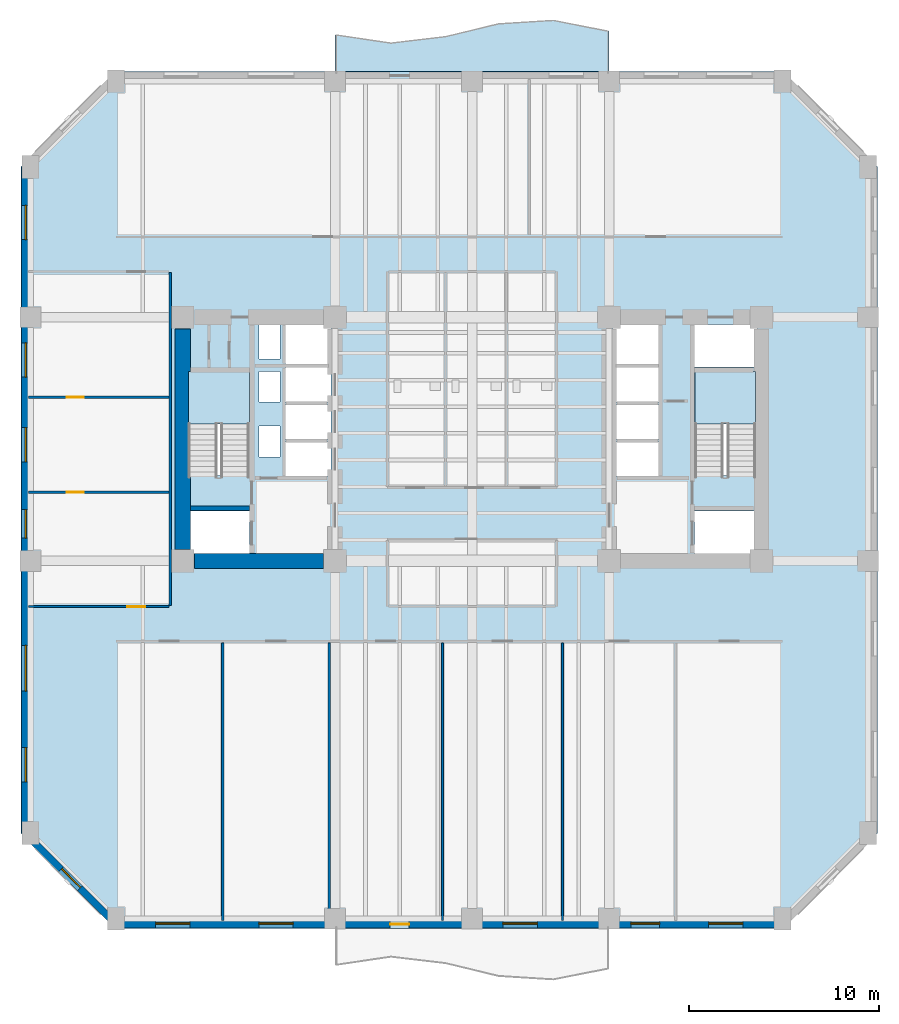
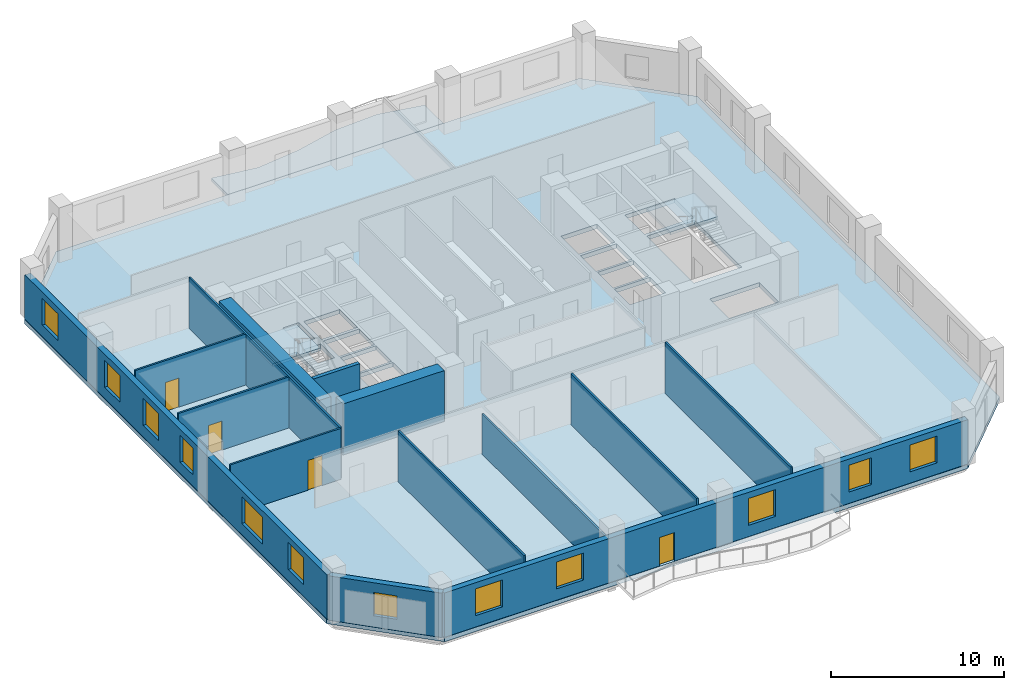
# One storey, part 2 of 10: 14 walls, 12 windows, 4 doors, 4 slabs, 16 openings, 2 elements without a shape of their own.
"""IFC4 building model written with IfcOpenShell, lengths in metres."""

from ifc_helpers import new_model, si_unit, direction, frame, frame_2d, origin, place, context, subcontext, project, spatial, polyline, rectangle, outline, extrude, material, layer, layer_set, type_object, element, fill, aggregate, save


model = new_model("IFC4")

# Units and contexts
model_context = context("Model", 3, precision=1e-05, world=origin(), true_north=direction((0.0, 1.0)))
body_context = subcontext(model_context, "Body", "Model", "MODEL_VIEW")
ifc_project = project(units=[si_unit("LENGTHUNIT", "METRE"), si_unit("AREAUNIT", "SQUARE_METRE"), si_unit("VOLUMEUNIT", "CUBIC_METRE"), si_unit("PLANEANGLEUNIT", "RADIAN"), si_unit("MASSUNIT", "GRAM", prefix="KILO")], contexts=[model_context])

# Site, building, storey
site_placement = place(None, origin())
site = spatial("IfcSite", under=ifc_project, at=site_placement, CompositionType="ELEMENT")
building_placement = place(site_placement, origin())
building = spatial("IfcBuilding", under=site, at=building_placement, Name="Kranthara Brick Stack", CompositionType="ELEMENT")
storey_placement = place(building_placement, frame((0.0, 0.0, 39.89990234375)))
storey = spatial("IfcBuildingStorey", under=building, at=storey_placement, Name="L09", CompositionType="ELEMENT", Elevation=39.89990234375)

# Slab
ifc_material_1 = material(Name="Concrete C45/55", Category="concrete")
ifc_layer_1 = layer(ifc_material_1, 0.219970703125)
ifc_layer_set_1 = layer_set([ifc_layer_1], Name="Concrete C45/55")
slab_type_1 = type_object("IfcSlabType", Name="SLB-BALC-220", PredefinedType="FLOOR", material=ifc_layer_set_1)
slab_1_placement = place(storey_placement, frame((0.0, 0.0, -0.219970703125)))
element("IfcSlab", 1, at=slab_1_placement, inside=storey, type_object=slab_type_1, Name="L09 North Rippling Balcony Slab", PredefinedType="FLOOR", context=body_context, shape_type="SweptSolid", body=[
    extrude(outline(polyline([(35.199951171875, 46.5), (20.800048828125, 46.5), (20.800048828125, 48.431884765625), (23.679931640625, 48.00146484375), (26.56005859375, 48.355224609375), (29.43994140625, 49.04833984375), (32.320068359375, 49.208984375), (35.199951171875, 48.63525390625), (35.199951171875, 46.5)])), origin(), (0.0, 0.0, 1.0), 0.219970703125),
])

# Stair, slab
ifc_material_2 = material(Name="Concrete C45/55", Category="concrete")
stair_type = type_object("IfcStairType", Name="ST-CORE-22R", PredefinedType="HALF_TURN_STAIR", material=ifc_material_2)
stair_1_placement = place(storey_placement, origin())
stair_1 = element("IfcStair", 2, at=stair_1_placement, inside=storey, type_object=stair_type, Name="L09 West Core Protected Exit Stair ST01", PredefinedType="HALF_TURN_STAIR")
ifc_material_3 = material(Name="Concrete C45/55", Category="concrete")
ifc_layer_2 = layer(ifc_material_3, 0.199951171875)
ifc_layer_set_2 = layer_set([ifc_layer_2], Name="Concrete C45/55")
slab_type_2 = type_object("IfcSlabType", Name="SLB-LANDING-200", PredefinedType="LANDING", material=ifc_layer_set_2)
slab_2_placement = place(storey_placement, frame((0.0, 0.0, 1.75)))
slab_2 = element("IfcSlab", 3, at=slab_2_placement, type_object=slab_type_2, Name="ST01 landing 1", PredefinedType="LANDING", context=body_context, shape_type="SweptSolid", body=[
    extrude(outline(polyline([(16.300048828125, 28.0), (16.300048828125, 30.75), (13.10009765625, 30.75), (13.10009765625, 28.0), (16.300048828125, 28.0)])), origin(), (0.0, 0.0, 1.0), 0.2001953125),
])
aggregate(stair_1, [slab_2])

stair_2_placement = place(storey_placement, origin())
stair_2 = element("IfcStair", 4, at=stair_2_placement, inside=storey, type_object=stair_type, Name="L09 East Core Protected Exit Stair ST02", PredefinedType="HALF_TURN_STAIR")
slab_3_placement = place(storey_placement, frame((0.0, 0.0, 1.75)))
slab_3 = element("IfcSlab", 5, at=slab_3_placement, type_object=slab_type_2, Name="ST02 landing 1", PredefinedType="LANDING", context=body_context, shape_type="SweptSolid", body=[
    extrude(outline(polyline([(42.89990234375, 28.0), (42.89990234375, 30.75), (39.699951171875, 30.75), (39.699951171875, 28.0), (42.89990234375, 28.0)])), origin(), (0.0, 0.0, 1.0), 0.2001953125),
])
aggregate(stair_2, [slab_3])

# Slab
ifc_material_4 = material(Name="Post-tensioned concrete C45/55", Category="concrete")
ifc_layer_3 = layer(ifc_material_4, 0.300048828125)
ifc_layer_set_3 = layer_set([ifc_layer_3], Name="Post-tensioned concrete C45/55")
slab_type_3 = type_object("IfcSlabType", Name="SLB-TWR-300", PredefinedType="FLOOR", material=ifc_layer_set_3)
slab_4_placement = place(storey_placement, frame((0.0, 0.0, -0.2998046875)))
element("IfcSlab", 6, at=slab_4_placement, inside=storey, type_object=slab_type_3, Name="L09 Structural Floor Plate", PredefinedType="FLOOR", context=body_context, shape_type="SweptSolid", body=[
    extrude(outline(polyline([(9.300048828125, 1.5), (44.300048828125, 1.5), (49.300048828125, 6.5), (49.300048828125, 41.5), (44.300048828125, 46.5), (9.300048828125, 46.5), (4.300048828125, 41.5), (4.300048828125, 6.5), (9.300048828125, 1.5)]), holes=[polyline([(13.10009765625, 25.280029296875), (16.300048828125, 25.280029296875), (16.300048828125, 30.75), (13.10009765625, 30.75), (13.10009765625, 25.280029296875)]), polyline([(39.699951171875, 25.280029296875), (42.89990234375, 25.280029296875), (42.89990234375, 30.75), (39.699951171875, 30.75), (39.699951171875, 25.280029296875)]), polyline([(13.0, 21.179931640625), (16.320068359375, 21.179931640625), (16.320068359375, 23.419921875), (13.0, 23.419921875), (13.0, 21.179931640625)]), polyline([(39.679931640625, 21.179931640625), (43.0, 21.179931640625), (43.0, 23.419921875), (39.679931640625, 23.419921875), (39.679931640625, 21.179931640625)]), polyline([(39.679931640625, 30.97998046875), (43.0, 30.97998046875), (43.0, 33.219970703125), (39.679931640625, 33.219970703125), (39.679931640625, 30.97998046875)]), polyline([(18.199951171875, 25.25), (20.60009765625, 25.25), (20.60009765625, 27.050048828125), (18.199951171875, 27.050048828125), (18.199951171875, 25.25)]), polyline([(18.199951171875, 27.199951171875), (20.60009765625, 27.199951171875), (20.60009765625, 29.0), (18.199951171875, 29.0), (18.199951171875, 27.199951171875)]), polyline([(18.199951171875, 29.14990234375), (20.60009765625, 29.14990234375), (20.60009765625, 30.949951171875), (18.199951171875, 30.949951171875), (18.199951171875, 29.14990234375)]), polyline([(35.39990234375, 25.25), (37.800048828125, 25.25), (37.800048828125, 27.050048828125), (35.39990234375, 27.050048828125), (35.39990234375, 25.25)]), polyline([(35.39990234375, 27.199951171875), (37.800048828125, 27.199951171875), (37.800048828125, 29.0), (35.39990234375, 29.0), (35.39990234375, 27.199951171875)]), polyline([(35.39990234375, 29.14990234375), (37.800048828125, 29.14990234375), (37.800048828125, 30.949951171875), (35.39990234375, 30.949951171875), (35.39990234375, 29.14990234375)]), polyline([(18.199951171875, 31.14990234375), (20.60009765625, 31.14990234375), (20.60009765625, 33.219970703125), (18.199951171875, 33.219970703125), (18.199951171875, 31.14990234375)]), polyline([(35.39990234375, 31.14990234375), (37.800048828125, 31.14990234375), (37.800048828125, 33.219970703125), (35.39990234375, 33.219970703125), (35.39990234375, 31.14990234375)]), polyline([(16.800048828125, 26.25), (17.89990234375, 26.25), (17.89990234375, 27.89990234375), (16.800048828125, 27.89990234375), (16.800048828125, 26.25)]), polyline([(16.800048828125, 29.14990234375), (17.89990234375, 29.14990234375), (17.89990234375, 30.75), (16.800048828125, 30.75), (16.800048828125, 29.14990234375)]), polyline([(16.800048828125, 31.39990234375), (17.89990234375, 31.39990234375), (17.89990234375, 33.25), (16.800048828125, 33.25), (16.800048828125, 31.39990234375)])]), origin(), (0.0, 0.0, 1.0), 0.2998046875),
])

# Wall, openings, door, windows
ifc_material_5 = material(Name="Kiln-fired clay brick masonry M15", Category="masonry")
ifc_layer_4 = layer(ifc_material_5, 0.3798828125)
ifc_layer_set_4 = layer_set([ifc_layer_4], Name="Kiln-fired clay brick masonry M15")
wall_type_1 = type_object("IfcWallType", Name="WL-BRK-PIER-380", PredefinedType="STANDARD", material=ifc_layer_set_4)
wall_1_placement = place(storey_placement, frame((44.300048828125, 1.7099609375, 0.0), z_axis=(0.0, 0.0, 1.0), x_axis=(-1.0, 0.0, 0.0)))
wall_1 = element("IfcWall", 7, at=wall_1_placement, inside=storey, type_object=wall_type_1, Name="L09 Exterior Brick Facade Wall SOUTH 1", PredefinedType="STANDARD", context=body_context, shape_type="SweptSolid", body=[
    extrude(rectangle(XDim=35.0, YDim=0.3798828125, at=frame_2d((17.5, 0.0))), origin(), (0.0, 0.0, 1.0), 3.135009765625),
])
opening_1_placement = place(wall_1_placement, frame((19.60009765625, 0.0, 0.0)))
opening_1 = element("IfcOpeningElement", 8, at=opening_1_placement, cuts=wall_1, Name="Opening D03", PredefinedType="OPENING", context=body_context, shape_type="SweptSolid", body=[
    extrude(rectangle(XDim=1.0, YDim=2.02001953125, at=frame_2d((0.5, 1.010009765625))), frame((0.0, 0.199951171875, 0.0), z_axis=(0.0, -1.0, 0.0), x_axis=(1.0, 0.0, 0.0)), (0.0, 0.0, 1.0), 0.39990234375),
])
opening_2_placement = place(wall_1_placement, frame((2.074951171875, 0.0, 0.800048828125)))
opening_2 = element("IfcOpeningElement", 9, at=opening_2_placement, cuts=wall_1, Name="Opening WN01", PredefinedType="OPENING", context=body_context, shape_type="SweptSolid", body=[
    extrude(rectangle(XDim=1.800048828125, YDim=1.89990234375, at=frame_2d((0.89990234375, 0.949951171875))), frame((0.0, 0.199951171875, 0.0), z_axis=(0.0, -1.0, 0.0), x_axis=(1.0, 0.0, 0.0)), (0.0, 0.0, 1.0), 0.39990234375),
])
opening_3_placement = place(wall_1_placement, frame((6.449951171875, 0.0, 0.800048828125)))
opening_3 = element("IfcOpeningElement", 10, at=opening_3_placement, cuts=wall_1, Name="Opening WN03", PredefinedType="OPENING", context=body_context, shape_type="SweptSolid", body=[
    extrude(rectangle(XDim=1.5, YDim=1.89990234375, at=frame_2d((0.75, 0.949951171875))), frame((0.0, 0.199951171875, 0.0), z_axis=(0.0, -1.0, 0.0), x_axis=(1.0, 0.0, 0.0)), (0.0, 0.0, 1.0), 0.39990234375),
])
opening_4_placement = place(wall_1_placement, frame((12.875, 0.0, 0.800048828125)))
opening_4 = element("IfcOpeningElement", 11, at=opening_4_placement, cuts=wall_1, Name="Opening WN01", PredefinedType="OPENING", context=body_context, shape_type="SweptSolid", body=[
    extrude(rectangle(XDim=1.800048828125, YDim=1.89990234375, at=frame_2d((0.89990234375, 0.949951171875))), frame((0.0, 0.199951171875, 0.0), z_axis=(0.0, -1.0, 0.0), x_axis=(1.0, 0.0, 0.0)), (0.0, 0.0, 1.0), 0.39990234375),
])
opening_5_placement = place(wall_1_placement, frame((25.699951171875, 0.0, 0.800048828125)))
opening_5 = element("IfcOpeningElement", 12, at=opening_5_placement, cuts=wall_1, Name="Opening WN01", PredefinedType="OPENING", context=body_context, shape_type="SweptSolid", body=[
    extrude(rectangle(XDim=1.800048828125, YDim=1.89990234375, at=frame_2d((0.89990234375, 0.949951171875))), frame((0.0, 0.199951171875, 0.0), z_axis=(0.0, -1.0, 0.0), x_axis=(1.0, 0.0, 0.0)), (0.0, 0.0, 1.0), 0.39990234375),
])
opening_6_placement = place(wall_1_placement, frame((31.125, 0.0, 0.800048828125)))
opening_6 = element("IfcOpeningElement", 13, at=opening_6_placement, cuts=wall_1, Name="Opening WN01", PredefinedType="OPENING", context=body_context, shape_type="SweptSolid", body=[
    extrude(rectangle(XDim=1.800048828125, YDim=1.89990234375, at=frame_2d((0.89990234375, 0.949951171875))), frame((0.0, 0.199951171875, 0.0), z_axis=(0.0, -1.0, 0.0), x_axis=(1.0, 0.0, 0.0)), (0.0, 0.0, 1.0), 0.39990234375),
])
ifc_material_6 = material(Name="Bronze anodised aluminium and laminated glass", Category="aluminium")
door_type_1 = type_object("IfcDoorType", Name="DR-BALC-1000", OperationType="NOTDEFINED", PredefinedType="DOOR", material=ifc_material_6)
door_1_placement = place(opening_1_placement, origin())
door_1 = element("IfcDoor", 14, at=door_1_placement, inside=storey, type_object=door_type_1, Name="L09 South Balcony Terrace Door", OperationType="SINGLE_SWING_LEFT", OverallHeight=2.02001953125, OverallWidth=1.0, PredefinedType="DOOR", context=body_context, shape_type="SweptSolid", body=[
    extrude(rectangle(XDim=1.0, YDim=2.02001953125, at=frame_2d((0.5, 1.010009765625))), frame((0.0, 0.02490234375, 0.0), z_axis=(0.0, -1.0, 0.0), x_axis=(1.0, 0.0, 0.0)), (0.0, 0.0, 1.0), 0.050048828125),
])
fill(opening_1, door_1)
ifc_material_7 = material(Name="Double-glazed low-E solar control glass", Category="glass")
window_type_1 = type_object("IfcWindowType", Name="WN-OFF-1500x2000", PartitioningType="SINGLE_PANEL", PredefinedType="WINDOW", material=ifc_material_7)
window_1_placement = place(opening_3_placement, origin())
window_1 = element("IfcWindow", 15, at=window_1_placement, inside=storey, type_object=window_type_1, Name="L09 South Deep-Set Brick Window 02", OverallHeight=1.89990234375, OverallWidth=1.5, PartitioningType="SINGLE_PANEL", PredefinedType="WINDOW", context=body_context, shape_type="SweptSolid", body=[
    extrude(rectangle(XDim=1.5, YDim=1.89990234375, at=frame_2d((0.75, 0.949951171875))), frame((0.0, -0.010009765625, 0.0), z_axis=(0.0, -1.0, 0.0), x_axis=(1.0, 0.0, 0.0)), (0.0, 0.0, 1.0), 0.06005859375),
])
fill(opening_3, window_1)
ifc_material_8 = material(Name="Double-glazed low-E solar control glass", Category="glass")
window_type_2 = type_object("IfcWindowType", Name="WN-OFF-1800x2000", PartitioningType="SINGLE_PANEL", PredefinedType="WINDOW", material=ifc_material_8)
window_2_placement = place(opening_2_placement, origin())
window_2 = element("IfcWindow", 16, at=window_2_placement, inside=storey, type_object=window_type_2, Name="L09 South Deep-Set Brick Window 01", OverallHeight=1.89990234375, OverallWidth=1.800048828125, PartitioningType="SINGLE_PANEL", PredefinedType="WINDOW", context=body_context, shape_type="SweptSolid", body=[
    extrude(rectangle(XDim=1.800048828125, YDim=1.89990234375, at=frame_2d((0.89990234375, 0.949951171875))), frame((0.0, -0.010009765625, 0.0), z_axis=(0.0, -1.0, 0.0), x_axis=(1.0, 0.0, 0.0)), (0.0, 0.0, 1.0), 0.06005859375),
])
fill(opening_2, window_2)
window_3_placement = place(opening_4_placement, origin())
window_3 = element("IfcWindow", 17, at=window_3_placement, inside=storey, type_object=window_type_2, Name="L09 South Deep-Set Brick Window 03", OverallHeight=1.89990234375, OverallWidth=1.800048828125, PartitioningType="SINGLE_PANEL", PredefinedType="WINDOW", context=body_context, shape_type="SweptSolid", body=[
    extrude(rectangle(XDim=1.800048828125, YDim=1.89990234375, at=frame_2d((0.89990234375, 0.949951171875))), frame((0.0, -0.010009765625, 0.0), z_axis=(0.0, -1.0, 0.0), x_axis=(1.0, 0.0, 0.0)), (0.0, 0.0, 1.0), 0.06005859375),
])
fill(opening_4, window_3)
window_4_placement = place(opening_5_placement, origin())
window_4 = element("IfcWindow", 18, at=window_4_placement, inside=storey, type_object=window_type_2, Name="L09 South Deep-Set Brick Window 04", OverallHeight=1.89990234375, OverallWidth=1.800048828125, PartitioningType="SINGLE_PANEL", PredefinedType="WINDOW", context=body_context, shape_type="SweptSolid", body=[
    extrude(rectangle(XDim=1.800048828125, YDim=1.89990234375, at=frame_2d((0.89990234375, 0.949951171875))), frame((0.0, -0.010009765625, 0.0), z_axis=(0.0, -1.0, 0.0), x_axis=(1.0, 0.0, 0.0)), (0.0, 0.0, 1.0), 0.06005859375),
])
fill(opening_5, window_4)
window_5_placement = place(opening_6_placement, origin())
window_5 = element("IfcWindow", 19, at=window_5_placement, inside=storey, type_object=window_type_2, Name="L09 South Deep-Set Brick Window 05", OverallHeight=1.89990234375, OverallWidth=1.800048828125, PartitioningType="SINGLE_PANEL", PredefinedType="WINDOW", context=body_context, shape_type="SweptSolid", body=[
    extrude(rectangle(XDim=1.800048828125, YDim=1.89990234375, at=frame_2d((0.89990234375, 0.949951171875))), frame((0.0, -0.010009765625, 0.0), z_axis=(0.0, -1.0, 0.0), x_axis=(1.0, 0.0, 0.0)), (0.0, 0.0, 1.0), 0.06005859375),
])
fill(opening_6, window_5)

# Wall, opening, window
wall_2_placement = place(storey_placement, frame((9.300048828125, 1.7099609375, 0.0), z_axis=(0.0, 0.0, 1.0), x_axis=(-0.707106781187, 0.707106781187, 0.0)))
wall_2 = element("IfcWall", 20, at=wall_2_placement, inside=storey, type_object=wall_type_1, Name="L09 Exterior Brick Facade Wall SW 1", PredefinedType="STANDARD", context=body_context, shape_type="SweptSolid", body=[
    extrude(rectangle(XDim=6.774169921875, YDim=0.3798828125, at=frame_2d((3.38720703125, 0.0))), origin(), (0.0, 0.0, 1.0), 3.135009765625),
])
opening_7_placement = place(wall_2_placement, frame((2.68701171875, 0.0, 0.800048828125)))
opening_7 = element("IfcOpeningElement", 21, at=opening_7_placement, cuts=wall_2, Name="Opening WN10", PredefinedType="OPENING", context=body_context, shape_type="SweptSolid", body=[
    extrude(rectangle(XDim=1.39990234375, YDim=1.64990234375, at=frame_2d((0.699951171875, 0.824951171875))), frame((0.0, 0.199951171875, 0.0), z_axis=(0.0, -1.0, 0.0), x_axis=(1.0, 0.0, 0.0)), (0.0, 0.0, 1.0), 0.39990234375),
])
ifc_material_9 = material(Name="Double-glazed low-E solar control glass", Category="glass")
window_type_3 = type_object("IfcWindowType", Name="WN-CHM-1400x1750", PartitioningType="SINGLE_PANEL", PredefinedType="WINDOW", material=ifc_material_9)
window_6_placement = place(opening_7_placement, origin())
window_6 = element("IfcWindow", 22, at=window_6_placement, inside=storey, type_object=window_type_3, Name="L09 SW Chamfer Corner Window", OverallHeight=1.64990234375, OverallWidth=1.39990234375, PartitioningType="SINGLE_PANEL", PredefinedType="WINDOW", context=body_context, shape_type="SweptSolid", body=[
    extrude(rectangle(XDim=1.39990234375, YDim=1.64990234375, at=frame_2d((0.699951171875, 0.824951171875))), frame((0.0, -0.010009765625, 0.0), z_axis=(0.0, -1.0, 0.0), x_axis=(1.0, 0.0, 0.0)), (0.0, 0.0, 1.0), 0.06005859375),
])
fill(opening_7, window_6)

# Wall, openings, windows
wall_3_placement = place(storey_placement, frame((4.510009765625, 6.5, 0.0), z_axis=(0.0, 0.0, 1.0), x_axis=(0.0, 1.0, 0.0)))
wall_3 = element("IfcWall", 23, at=wall_3_placement, inside=storey, type_object=wall_type_1, Name="L09 Exterior Brick Facade Wall WEST 1", PredefinedType="STANDARD", context=body_context, shape_type="SweptSolid", body=[
    extrude(rectangle(XDim=35.0, YDim=0.3798828125, at=frame_2d((17.5, 0.0))), origin(), (0.0, 0.0, 1.0), 3.135009765625),
])
opening_8_placement = place(wall_3_placement, frame((2.693115234375, 0.0, 0.800048828125)))
opening_8 = element("IfcOpeningElement", 24, at=opening_8_placement, cuts=wall_3, Name="Opening WN01", PredefinedType="OPENING", context=body_context, shape_type="SweptSolid", body=[
    extrude(rectangle(XDim=1.800048828125, YDim=1.89990234375, at=frame_2d((0.89990234375, 0.949951171875))), frame((0.0, 0.199951171875, 0.0), z_axis=(0.0, -1.0, 0.0), x_axis=(1.0, 0.0, 0.0)), (0.0, 0.0, 1.0), 0.39990234375),
])
opening_9_placement = place(wall_3_placement, frame((7.45703125, 0.0, 0.800048828125)))
opening_9 = element("IfcOpeningElement", 25, at=opening_9_placement, cuts=wall_3, Name="Opening WN02", PredefinedType="OPENING", context=body_context, shape_type="SweptSolid", body=[
    extrude(rectangle(XDim=2.39990234375, YDim=1.89990234375, at=frame_2d((1.199951171875, 0.949951171875))), frame((0.0, 0.199951171875, 0.0), z_axis=(0.0, -1.0, 0.0), x_axis=(1.0, 0.0, 0.0)), (0.0, 0.0, 1.0), 0.39990234375),
])
opening_10_placement = place(wall_3_placement, frame((15.5, 0.0, 0.800048828125)))
opening_10 = element("IfcOpeningElement", 26, at=opening_10_placement, cuts=wall_3, Name="Opening WN03", PredefinedType="OPENING", context=body_context, shape_type="SweptSolid", body=[
    extrude(rectangle(XDim=1.5, YDim=1.89990234375, at=frame_2d((0.75, 0.949951171875))), frame((0.0, 0.199951171875, 0.0), z_axis=(0.0, -1.0, 0.0), x_axis=(1.0, 0.0, 0.0)), (0.0, 0.0, 1.0), 0.39990234375),
])
opening_11_placement = place(wall_3_placement, frame((19.5, 0.0, 0.800048828125)))
opening_11 = element("IfcOpeningElement", 27, at=opening_11_placement, cuts=wall_3, Name="Opening WN01", PredefinedType="OPENING", context=body_context, shape_type="SweptSolid", body=[
    extrude(rectangle(XDim=1.800048828125, YDim=1.89990234375, at=frame_2d((0.89990234375, 0.949951171875))), frame((0.0, 0.199951171875, 0.0), z_axis=(0.0, -1.0, 0.0), x_axis=(1.0, 0.0, 0.0)), (0.0, 0.0, 1.0), 0.39990234375),
])
opening_12_placement = place(wall_3_placement, frame((23.949951171875, 0.0, 0.800048828125)))
opening_12 = element("IfcOpeningElement", 28, at=opening_12_placement, cuts=wall_3, Name="Opening WN01", PredefinedType="OPENING", context=body_context, shape_type="SweptSolid", body=[
    extrude(rectangle(XDim=1.800048828125, YDim=1.89990234375, at=frame_2d((0.89990234375, 0.949951171875))), frame((0.0, 0.199951171875, 0.0), z_axis=(0.0, -1.0, 0.0), x_axis=(1.0, 0.0, 0.0)), (0.0, 0.0, 1.0), 0.39990234375),
])
opening_13_placement = place(wall_3_placement, frame((31.175048828125, 0.0, 0.800048828125)))
opening_13 = element("IfcOpeningElement", 29, at=opening_13_placement, cuts=wall_3, Name="Opening WN01", PredefinedType="OPENING", context=body_context, shape_type="SweptSolid", body=[
    extrude(rectangle(XDim=1.800048828125, YDim=1.89990234375, at=frame_2d((0.89990234375, 0.949951171875))), frame((0.0, 0.199951171875, 0.0), z_axis=(0.0, -1.0, 0.0), x_axis=(1.0, 0.0, 0.0)), (0.0, 0.0, 1.0), 0.39990234375),
])
window_7_placement = place(opening_10_placement, origin())
window_7 = element("IfcWindow", 30, at=window_7_placement, inside=storey, type_object=window_type_1, Name="L09 West Deep-Set Brick Window 03", OverallHeight=1.89990234375, OverallWidth=1.5, PartitioningType="SINGLE_PANEL", PredefinedType="WINDOW", context=body_context, shape_type="SweptSolid", body=[
    extrude(rectangle(XDim=1.5, YDim=1.89990234375, at=frame_2d((0.75, 0.949951171875))), frame((0.0, -0.010009765625, 0.0), z_axis=(0.0, -1.0, 0.0), x_axis=(1.0, 0.0, 0.0)), (0.0, 0.0, 1.0), 0.06005859375),
])
fill(opening_10, window_7)
window_8_placement = place(opening_8_placement, origin())
window_8 = element("IfcWindow", 31, at=window_8_placement, inside=storey, type_object=window_type_2, Name="L09 West Deep-Set Brick Window 01", OverallHeight=1.89990234375, OverallWidth=1.800048828125, PartitioningType="SINGLE_PANEL", PredefinedType="WINDOW", context=body_context, shape_type="SweptSolid", body=[
    extrude(rectangle(XDim=1.800048828125, YDim=1.89990234375, at=frame_2d((0.89990234375, 0.949951171875))), frame((0.0, -0.010009765625, 0.0), z_axis=(0.0, -1.0, 0.0), x_axis=(1.0, 0.0, 0.0)), (0.0, 0.0, 1.0), 0.06005859375),
])
fill(opening_8, window_8)
window_9_placement = place(opening_11_placement, origin())
window_9 = element("IfcWindow", 32, at=window_9_placement, inside=storey, type_object=window_type_2, Name="L09 West Deep-Set Brick Window 04", OverallHeight=1.89990234375, OverallWidth=1.800048828125, PartitioningType="SINGLE_PANEL", PredefinedType="WINDOW", context=body_context, shape_type="SweptSolid", body=[
    extrude(rectangle(XDim=1.800048828125, YDim=1.89990234375, at=frame_2d((0.89990234375, 0.949951171875))), frame((0.0, -0.010009765625, 0.0), z_axis=(0.0, -1.0, 0.0), x_axis=(1.0, 0.0, 0.0)), (0.0, 0.0, 1.0), 0.06005859375),
])
fill(opening_11, window_9)
window_10_placement = place(opening_12_placement, origin())
window_10 = element("IfcWindow", 33, at=window_10_placement, inside=storey, type_object=window_type_2, Name="L09 West Deep-Set Brick Window 05", OverallHeight=1.89990234375, OverallWidth=1.800048828125, PartitioningType="SINGLE_PANEL", PredefinedType="WINDOW", context=body_context, shape_type="SweptSolid", body=[
    extrude(rectangle(XDim=1.800048828125, YDim=1.89990234375, at=frame_2d((0.89990234375, 0.949951171875))), frame((0.0, -0.010009765625, 0.0), z_axis=(0.0, -1.0, 0.0), x_axis=(1.0, 0.0, 0.0)), (0.0, 0.0, 1.0), 0.06005859375),
])
fill(opening_12, window_10)
window_11_placement = place(opening_13_placement, origin())
window_11 = element("IfcWindow", 34, at=window_11_placement, inside=storey, type_object=window_type_2, Name="L09 West Deep-Set Brick Window 06", OverallHeight=1.89990234375, OverallWidth=1.800048828125, PartitioningType="SINGLE_PANEL", PredefinedType="WINDOW", context=body_context, shape_type="SweptSolid", body=[
    extrude(rectangle(XDim=1.800048828125, YDim=1.89990234375, at=frame_2d((0.89990234375, 0.949951171875))), frame((0.0, -0.010009765625, 0.0), z_axis=(0.0, -1.0, 0.0), x_axis=(1.0, 0.0, 0.0)), (0.0, 0.0, 1.0), 0.06005859375),
])
fill(opening_13, window_11)
ifc_material_10 = material(Name="Double-glazed low-E solar control glass", Category="glass")
window_type_4 = type_object("IfcWindowType", Name="WN-OFF-2400x2000", PartitioningType="DOUBLE_PANEL_VERTICAL", PredefinedType="WINDOW", material=ifc_material_10)
window_12_placement = place(opening_9_placement, origin())
window_12 = element("IfcWindow", 35, at=window_12_placement, inside=storey, type_object=window_type_4, Name="L09 West Deep-Set Brick Window 02", OverallHeight=1.89990234375, OverallWidth=2.39990234375, PartitioningType="SINGLE_PANEL", PredefinedType="WINDOW", context=body_context, shape_type="SweptSolid", body=[
    extrude(rectangle(XDim=2.39990234375, YDim=1.89990234375, at=frame_2d((1.199951171875, 0.949951171875))), frame((0.0, -0.010009765625, 0.0), z_axis=(0.0, -1.0, 0.0), x_axis=(1.0, 0.0, 0.0)), (0.0, 0.0, 1.0), 0.06005859375),
])
fill(opening_9, window_12)

# Walls
ifc_material_11 = material(Name="Concrete C50/60", Category="concrete")
ifc_layer_5 = layer(ifc_material_11, 0.25)
ifc_layer_set_5 = layer_set([ifc_layer_5], Name="Concrete C50/60")
wall_type_2 = type_object("IfcWallType", Name="WL-CORE-250", PredefinedType="SHEAR", material=ifc_layer_set_5)
wall_4_placement = place(storey_placement, frame((13.2099609375, 23.570068359375, 0.0), z_axis=(0.0, 0.0, 1.0), x_axis=(1.0, 0.0, 0.0)))
element("IfcWall", 36, at=wall_4_placement, inside=storey, type_object=wall_type_2, Name="L09 West Stairwell Bearing Wall WFF", PredefinedType="SHEAR", context=body_context, shape_type="SweptSolid", body=[
    extrude(rectangle(XDim=3.10009765625, YDim=0.25, at=frame_2d((1.550048828125, 0.0))), origin(), (0.0, 0.0, 1.0), 3.60009765625),
])
ifc_material_12 = material(Name="Concrete C70/85", Category="concrete")
ifc_layer_6 = layer(ifc_material_12, 0.800048828125)
ifc_layer_set_6 = layer_set([ifc_layer_6], Name="Concrete C70/85")
wall_type_3 = type_object("IfcWallType", Name="WL-CORE-800", PredefinedType="SHEAR", material=ifc_layer_set_6)
wall_5_placement = place(storey_placement, frame((12.800048828125, 21.405029296875, 0.0), z_axis=(0.0, 0.0, 1.0), x_axis=(0.0, 1.0, 0.0)))
element("IfcWall", 37, at=wall_5_placement, inside=storey, type_object=wall_type_3, Name="L09 West Core Shear Wall West", PredefinedType="SHEAR", context=body_context, shape_type="SweptSolid", body=[
    extrude(rectangle(XDim=11.590087890625, YDim=0.800048828125, at=frame_2d((5.794921875, 0.0))), origin(), (0.0, 0.0, 1.0), 3.60009765625),
])
wall_6_placement = place(storey_placement, frame((13.405029296875, 20.800048828125, 0.0), z_axis=(0.0, 0.0, 1.0), x_axis=(1.0, 0.0, 0.0)))
element("IfcWall", 38, at=wall_6_placement, inside=storey, type_object=wall_type_3, Name="L09 West Core Shear Wall South", PredefinedType="SHEAR", context=body_context, shape_type="SweptSolid", body=[
    extrude(rectangle(XDim=6.7900390625, YDim=0.800048828125, at=frame_2d((3.39501953125, 0.0))), origin(), (0.0, 0.0, 1.0), 3.60009765625),
])
ifc_material_13 = material(Name="Acoustic gypsum plasterboard partition", Category="other")
ifc_layer_7 = layer(ifc_material_13, 0.1201171875)
ifc_layer_set_7 = layer_set([ifc_layer_7], Name="Acoustic gypsum plasterboard partition")
wall_type_4 = type_object("IfcWallType", Name="WL-PART-120", PredefinedType="PARTITIONING", material=ifc_layer_set_7)
wall_7_placement = place(storey_placement, frame((14.89990234375, 1.905029296875, 0.0), z_axis=(0.0, 0.0, 1.0), x_axis=(0.0, 1.0, 0.0)))
element("IfcWall", 39, at=wall_7_placement, inside=storey, type_object=wall_type_4, Name="L09 Interior Partition 015", PredefinedType="PARTITIONING", context=body_context, shape_type="SweptSolid", body=[
    extrude(rectangle(XDim=14.574951171875, YDim=0.1201171875, at=frame_2d((7.28759765625, 0.0))), origin(), (0.0, 0.0, 1.0), 3.60009765625),
])
wall_8_placement = place(storey_placement, frame((20.5, 1.905029296875, 0.0), z_axis=(0.0, 0.0, 1.0), x_axis=(0.0, 1.0, 0.0)))
element("IfcWall", 40, at=wall_8_placement, inside=storey, type_object=wall_type_4, Name="L09 Interior Partition 016", PredefinedType="PARTITIONING", context=body_context, shape_type="SweptSolid", body=[
    extrude(rectangle(XDim=14.574951171875, YDim=0.1201171875, at=frame_2d((7.28759765625, 0.0))), origin(), (0.0, 0.0, 1.0), 2.835205078125),
])
for number, where, z_axis, x_axis, name in (
    (41, (26.449951171875, 1.905029296875, 0.0), (0.0, 0.0, 1.0), (0.0, 1.0, 0.0), "L09 Interior Partition 017"),
    (42, (32.75, 1.905029296875, 0.0), (0.0, 0.0, 1.0), (0.0, 1.0, 0.0), "L09 Interior Partition 018"),
):
    element("IfcWall", number, at=place(storey_placement, frame(where, z_axis=z_axis, x_axis=x_axis)), inside=storey, type_object=wall_type_4, Name=name, PredefinedType="PARTITIONING", context=body_context, shape_type="SweptSolid", body=[
        extrude(rectangle(XDim=14.574951171875, YDim=0.1201171875, at=frame_2d((7.28759765625, 0.0))), origin(), (0.0, 0.0, 1.0), 3.60009765625),
    ])
wall_9_placement = place(storey_placement, frame((12.14990234375, 18.449951171875, 0.0), z_axis=(0.0, 0.0, 1.0), x_axis=(0.0, 1.0, 0.0)))
element("IfcWall", 43, at=wall_9_placement, inside=storey, type_object=wall_type_4, Name="L09 Interior Partition 022", PredefinedType="PARTITIONING", context=body_context, shape_type="SweptSolid", body=[
    extrude(rectangle(XDim=17.5, YDim=0.1201171875, at=frame_2d((8.75, 0.0))), origin(), (0.0, 0.0, 1.0), 3.60009765625),
])

# Wall, opening, door
wall_10_placement = place(storey_placement, frame((4.705078125, 18.39990234375, 0.0), z_axis=(0.0, 0.0, 1.0), x_axis=(1.0, 0.0, 0.0)))
wall_10 = element("IfcWall", 44, at=wall_10_placement, inside=storey, type_object=wall_type_4, Name="L09 Interior Partition 023", PredefinedType="PARTITIONING", context=body_context, shape_type="SweptSolid", body=[
    extrude(rectangle(XDim=7.3798828125, YDim=0.1201171875, at=frame_2d((3.68994140625, 0.0))), origin(), (0.0, 0.0, 1.0), 3.60009765625),
])
opening_14_placement = place(wall_10_placement, frame((5.179931640625, 0.0, 0.0)))
opening_14 = element("IfcOpeningElement", 45, at=opening_14_placement, cuts=wall_10, Name="Opening D14", PredefinedType="OPENING", context=body_context, shape_type="SweptSolid", body=[
    extrude(rectangle(XDim=0.949951171875, YDim=2.10009765625, at=frame_2d((0.47509765625, 1.050048828125))), frame((0.0, 0.070068359375, 0.0), z_axis=(0.0, -1.0, 0.0), x_axis=(1.0, 0.0, 0.0)), (0.0, 0.0, 1.0), 0.14013671875),
])
ifc_material_14 = material(Name="Solid-core hardwood timber leaf in steel frame", Category="steel")
door_type_2 = type_object("IfcDoorType", Name="DR-INT-950", OperationType="NOTDEFINED", PredefinedType="DOOR", material=ifc_material_14)
door_2_placement = place(opening_14_placement, origin())
door_2 = element("IfcDoor", 46, at=door_2_placement, inside=storey, type_object=door_type_2, Name="L09 West South Office 18", OperationType="SINGLE_SWING_RIGHT", OverallHeight=2.10009765625, OverallWidth=0.949951171875, PredefinedType="DOOR", context=body_context, shape_type="SweptSolid", body=[
    extrude(rectangle(XDim=0.949951171875, YDim=2.10009765625, at=frame_2d((0.47509765625, 1.050048828125))), frame((0.0, 0.02490234375, 0.0), z_axis=(0.0, -1.0, 0.0), x_axis=(1.0, 0.0, 0.0)), (0.0, 0.0, 1.0), 0.050048828125),
])
fill(opening_14, door_2)

wall_11_placement = place(storey_placement, frame((4.705078125, 24.39990234375, 0.0), z_axis=(0.0, 0.0, 1.0), x_axis=(1.0, 0.0, 0.0)))
wall_11 = element("IfcWall", 47, at=wall_11_placement, inside=storey, type_object=wall_type_4, Name="L09 Interior Partition 025", PredefinedType="PARTITIONING", context=body_context, shape_type="SweptSolid", body=[
    extrude(rectangle(XDim=7.3798828125, YDim=0.1201171875, at=frame_2d((3.68994140625, 0.0))), origin(), (0.0, 0.0, 1.0), 3.60009765625),
])
opening_15_placement = place(wall_11_placement, frame((2.0, 0.0, 0.0)))
opening_15 = element("IfcOpeningElement", 48, at=opening_15_placement, cuts=wall_11, Name="Opening D15", PredefinedType="OPENING", context=body_context, shape_type="SweptSolid", body=[
    extrude(rectangle(XDim=0.89990234375, YDim=2.050048828125, at=frame_2d((0.449951171875, 1.02490234375))), frame((0.0, 0.070068359375, 0.0), z_axis=(0.0, -1.0, 0.0), x_axis=(1.0, 0.0, 0.0)), (0.0, 0.0, 1.0), 0.14013671875),
])
ifc_material_15 = material(Name="Solid-core hardwood timber leaf in steel frame", Category="steel")
door_type_3 = type_object("IfcDoorType", Name="DR-INT-900", OperationType="NOTDEFINED", PredefinedType="DOOR", material=ifc_material_15)
door_3_placement = place(opening_15_placement, origin())
door_3 = element("IfcDoor", 49, at=door_3_placement, inside=storey, type_object=door_type_3, Name="L09 West Inner Suite Door 16", OperationType="SINGLE_SWING_RIGHT", OverallHeight=2.050048828125, OverallWidth=0.89990234375, PredefinedType="DOOR", context=body_context, shape_type="SweptSolid", body=[
    extrude(rectangle(XDim=0.89990234375, YDim=2.050048828125, at=frame_2d((0.449951171875, 1.02490234375))), frame((0.0, 0.02490234375, 0.0), z_axis=(0.0, -1.0, 0.0), x_axis=(1.0, 0.0, 0.0)), (0.0, 0.0, 1.0), 0.050048828125),
])
fill(opening_15, door_3)

wall_12_placement = place(storey_placement, frame((4.705078125, 29.39990234375, 0.0), z_axis=(0.0, 0.0, 1.0), x_axis=(1.0, 0.0, 0.0)))
wall_12 = element("IfcWall", 50, at=wall_12_placement, inside=storey, type_object=wall_type_4, Name="L09 Interior Partition 026", PredefinedType="PARTITIONING", context=body_context, shape_type="SweptSolid", body=[
    extrude(rectangle(XDim=7.3798828125, YDim=0.1201171875, at=frame_2d((3.68994140625, 0.0))), origin(), (0.0, 0.0, 1.0), 3.60009765625),
])
opening_16_placement = place(wall_12_placement, frame((2.0, 0.0, 0.0)))
opening_16 = element("IfcOpeningElement", 51, at=opening_16_placement, cuts=wall_12, Name="Opening D15", PredefinedType="OPENING", context=body_context, shape_type="SweptSolid", body=[
    extrude(rectangle(XDim=0.89990234375, YDim=2.050048828125, at=frame_2d((0.449951171875, 1.02490234375))), frame((0.0, 0.070068359375, 0.0), z_axis=(0.0, -1.0, 0.0), x_axis=(1.0, 0.0, 0.0)), (0.0, 0.0, 1.0), 0.14013671875),
])
door_4_placement = place(opening_16_placement, origin())
door_4 = element("IfcDoor", 52, at=door_4_placement, inside=storey, type_object=door_type_3, Name="L09 West Inner Suite Door 17", OperationType="SINGLE_SWING_LEFT", OverallHeight=2.050048828125, OverallWidth=0.89990234375, PredefinedType="DOOR", context=body_context, shape_type="SweptSolid", body=[
    extrude(rectangle(XDim=0.89990234375, YDim=2.050048828125, at=frame_2d((0.449951171875, 1.02490234375))), frame((0.0, 0.02490234375, 0.0), z_axis=(0.0, -1.0, 0.0), x_axis=(1.0, 0.0, 0.0)), (0.0, 0.0, 1.0), 0.050048828125),
])
fill(opening_16, door_4)

save(model, "model.ifc")
